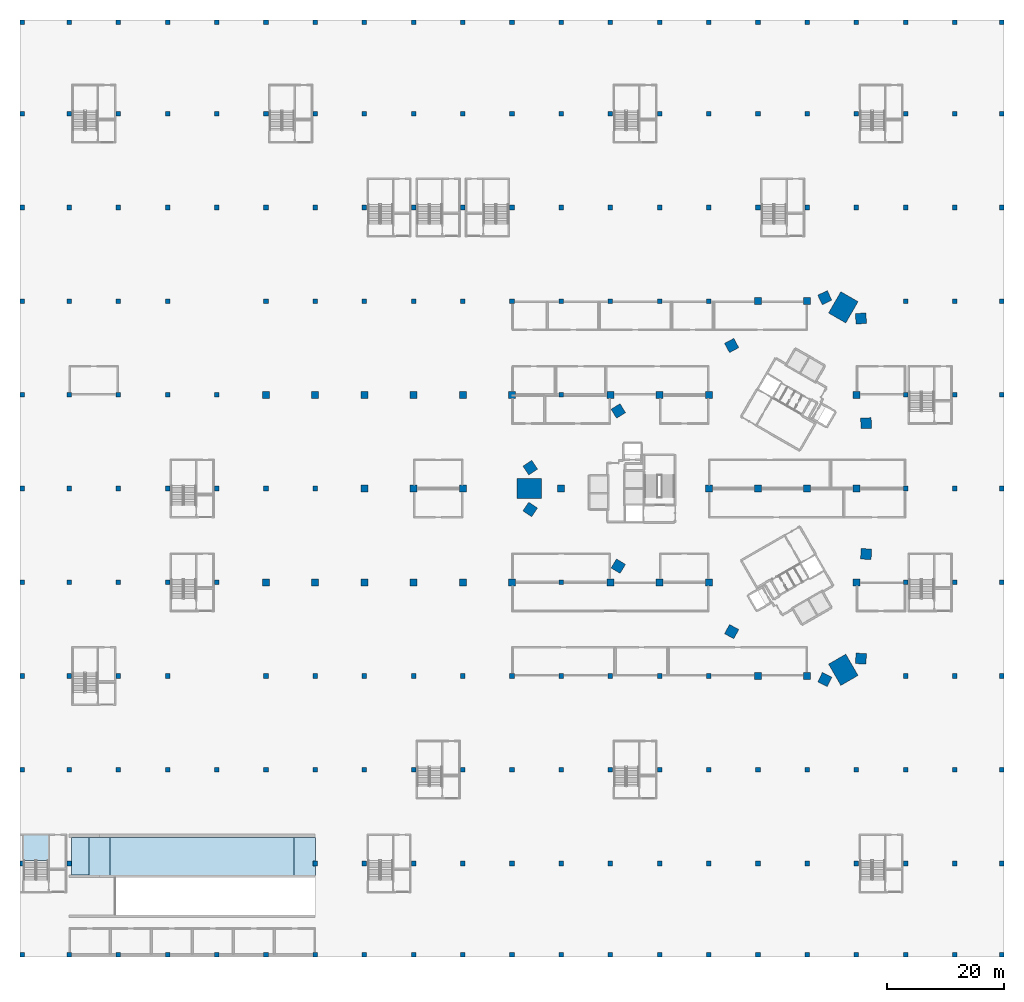
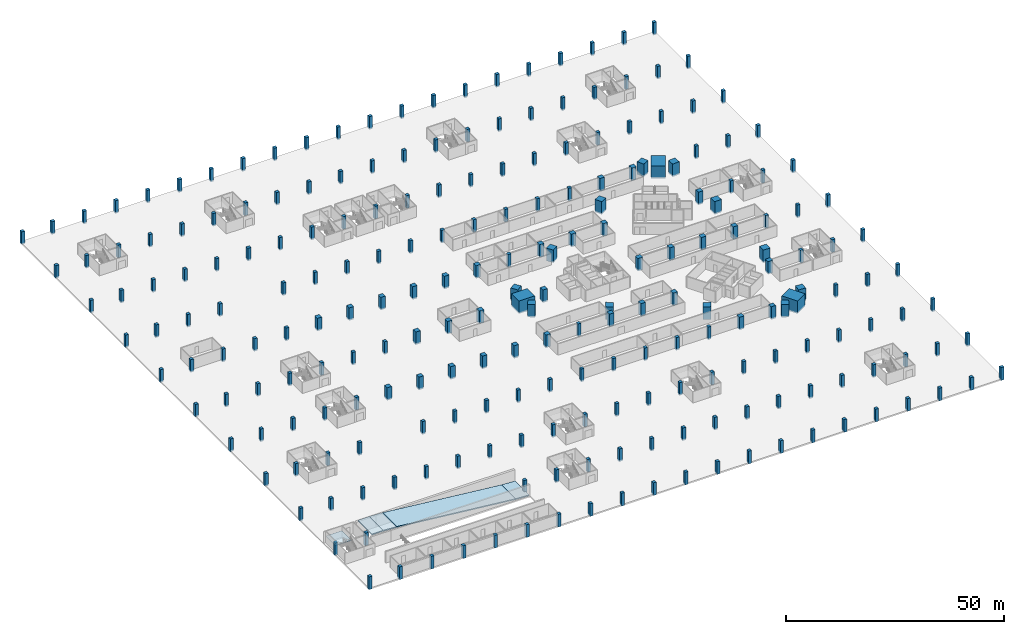
# One storey, part 1 of 37: 231 columns, 5 slabs, 1 element without a shape of its own.
"""IFC4 building model written with IfcOpenShell, lengths in metres."""

from ifc_helpers import new_model, si_unit, direction, frame, origin, origin_2d, place, context, subcontext, project, spatial, polyline, rectangle, outline, extrude, material, layer, layer_set, material_profile, profile_set, type_object, element, aggregate, save


model = new_model("IFC4")

# Units and contexts
model_context = context("Model", 3, precision=1e-05, world=origin(), true_north=direction((0.0, 1.0)))
body_context = subcontext(model_context, "Body", "Model", "MODEL_VIEW")
ifc_project = project(units=[si_unit("LENGTHUNIT", "METRE"), si_unit("AREAUNIT", "SQUARE_METRE"), si_unit("VOLUMEUNIT", "CUBIC_METRE"), si_unit("PLANEANGLEUNIT", "RADIAN"), si_unit("MASSUNIT", "GRAM", prefix="KILO")], contexts=[model_context])

# Site, building, storey
site_placement = place(None, origin())
site = spatial("IfcSite", under=ifc_project, at=site_placement, CompositionType="ELEMENT")
building_placement = place(site_placement, origin())
building = spatial("IfcBuilding", under=site, at=building_placement, Name="Tamra Quay Hotel Tower", CompositionType="ELEMENT")
storey_placement = place(building_placement, frame((0.0, 0.0, -3.60009765625)))
storey = spatial("IfcBuildingStorey", under=building, at=storey_placement, Name="B1", CompositionType="ELEMENT", Elevation=-3.60009765625)

# Columns
ifc_material_1 = material(Name="Concrete M70", Category="concrete")
ifc_material_profile_1 = material_profile(ifc_material_1, rectangle(XDim=1.199951171875, YDim=1.199951171875, at=origin_2d()), Name="LATTICE COLUMN RC 1200x1200")
ifc_profile_set_1 = profile_set([ifc_material_profile_1], Name="Concrete M70")
column_type_1 = type_object("IfcColumnType", Name="LATTICE COLUMN RC 1200x1200", PredefinedType="COLUMN", material=ifc_profile_set_1)
for number, where, z_axis, x_axis, name in (
    (1, (-80.699951171875, -16.0, -0.39990234375), (0.0, 0.0, 1.0), (1.0, 0.0, 0.0), "COL-BC054-B1"),
    (2, (-80.699951171875, 16.0, -0.39990234375), (0.0, 0.0, 1.0), (1.0, 0.0, 0.0), "COL-BC056-B1"),
    (3, (-72.300048828125, -16.0, -0.39990234375), (0.0, 0.0, 1.0), (1.0, 0.0, 0.0), "COL-BC065-B1"),
    (4, (-72.300048828125, 16.0, -0.39990234375), (0.0, 0.0, 1.0), (1.0, 0.0, 0.0), "COL-BC067-B1"),
    (5, (-63.89990234375, -16.0, -0.39990234375), (0.0, 0.0, 1.0), (1.0, 0.0, 0.0), "COL-BC076-B1"),
    (6, (-63.89990234375, 0.0, -0.39990234375), (0.0, 0.0, 1.0), (1.0, 0.0, 0.0), "COL-BC077-B1"),
    (7, (-63.89990234375, 16.0, -0.39990234375), (0.0, 0.0, 1.0), (1.0, 0.0, 0.0), "COL-BC078-B1"),
    (8, (-55.5, -16.0, -0.39990234375), (0.0, 0.0, 1.0), (1.0, 0.0, 0.0), "COL-BC087-B1"),
    (9, (-55.5, 0.0, -0.39990234375), (0.0, 0.0, 1.0), (1.0, 0.0, 0.0), "COL-BC088-B1"),
    (10, (-55.5, 16.0, -0.39990234375), (0.0, 0.0, 1.0), (1.0, 0.0, 0.0), "COL-BC089-B1"),
    (11, (-47.10009765625, -16.0, -0.39990234375), (0.0, 0.0, 1.0), (1.0, 0.0, 0.0), "COL-BC098-B1"),
    (12, (-47.10009765625, 0.0, -0.39990234375), (0.0, 0.0, 1.0), (1.0, 0.0, 0.0), "COL-BC099-B1"),
    (13, (-47.10009765625, 16.0, -0.39990234375), (0.0, 0.0, 1.0), (1.0, 0.0, 0.0), "COL-BC100-B1"),
    (14, (-38.699951171875, -16.0, -0.39990234375), (0.0, 0.0, 1.0), (1.0, 0.0, 0.0), "COL-BC109-B1"),
    (15, (-38.699951171875, 16.0, -0.39990234375), (0.0, 0.0, 1.0), (1.0, 0.0, 0.0), "COL-BC110-B1"),
    (16, (-30.300048828125, 0.0, -0.39990234375), (0.0, 0.0, 1.0), (1.0, 0.0, 0.0), "COL-BC120-B1"),
    (17, (-21.89990234375, -16.0, -0.39990234375), (0.0, 0.0, 1.0), (1.0, 0.0, 0.0), "COL-BC130-B1"),
    (18, (-21.89990234375, 16.0, -0.39990234375), (0.0, 0.0, 1.0), (1.0, 0.0, 0.0), "COL-BC131-B1"),
    (19, (-13.5, -16.0, -0.39990234375), (0.0, 0.0, 1.0), (1.0, 0.0, 0.0), "COL-BC140-B1"),
    (20, (-13.5, 16.0, -0.39990234375), (0.0, 0.0, 1.0), (1.0, 0.0, 0.0), "COL-BC141-B1"),
    (21, (-5.10009765625, -16.0, -0.39990234375), (0.0, 0.0, 1.0), (1.0, 0.0, 0.0), "COL-BC150-B1"),
    (22, (-5.10009765625, 0.0, -0.39990234375), (0.0, 0.0, 1.0), (1.0, 0.0, 0.0), "COL-BC151-B1"),
    (23, (-5.10009765625, 16.0, -0.39990234375), (0.0, 0.0, 1.0), (1.0, 0.0, 0.0), "COL-BC152-B1"),
    (24, (3.300048828125, -32.0, -0.39990234375), (0.0, 0.0, 1.0), (1.0, 0.0, 0.0), "COL-BC160-B1"),
    (25, (3.300048828125, 0.0, -0.39990234375), (0.0, 0.0, 1.0), (1.0, 0.0, 0.0), "COL-BC161-B1"),
    (26, (3.300048828125, 32.0, -0.39990234375), (0.0, 0.0, 1.0), (1.0, 0.0, 0.0), "COL-BC162-B1"),
    (27, (11.699951171875, -32.0, -0.39990234375), (0.0, 0.0, 1.0), (1.0, 0.0, 0.0), "COL-BC169-B1"),
    (28, (11.699951171875, 0.0, -0.39990234375), (0.0, 0.0, 1.0), (1.0, 0.0, 0.0), "COL-BC170-B1"),
    (29, (11.699951171875, 32.0, -0.39990234375), (0.0, 0.0, 1.0), (1.0, 0.0, 0.0), "COL-BC171-B1"),
    (30, (20.10009765625, -16.0, -0.39990234375), (0.0, 0.0, 1.0), (1.0, 0.0, 0.0), "COL-BC178-B1"),
    (31, (20.10009765625, 0.0, -0.39990234375), (0.0, 0.0, 1.0), (1.0, 0.0, 0.0), "COL-BC179-B1"),
    (32, (20.10009765625, 16.0, -0.39990234375), (0.0, 0.0, 1.0), (1.0, 0.0, 0.0), "COL-BC180-B1"),
):
    element("IfcColumn", number, at=place(storey_placement, frame(where, z_axis=z_axis, x_axis=x_axis)), inside=storey, type_object=column_type_1, Name=name, PredefinedType="COLUMN", context=body_context, shape_type="SweptSolid", body=[
        extrude(rectangle(XDim=1.199951171875, YDim=1.199951171875, at=origin_2d()), origin(), (0.0, 0.0, 1.0), 3.550048828125),
    ])
ifc_material_profile_2 = material_profile(ifc_material_1, rectangle(XDim=0.800048828125, YDim=0.800048828125, at=origin_2d()), Name="LATTICE COLUMN RC 800x800")
ifc_profile_set_2 = profile_set([ifc_material_profile_2], Name="Concrete M70")
column_type_2 = type_object("IfcColumnType", Name="LATTICE COLUMN RC 800x800", PredefinedType="COLUMN", material=ifc_profile_set_2)
for number, where, z_axis, x_axis, name in (
    (33, (-122.300048828125, -79.60009765625, -0.39990234375), (0.0, 0.0, 1.0), (1.0, 0.0, 0.0), "COL-BC001-B1"),
    (34, (-122.300048828125, -64.0, -0.39990234375), (0.0, 0.0, 1.0), (1.0, 0.0, 0.0), "COL-BC002-B1"),
    (35, (-122.300048828125, -48.0, -0.39990234375), (0.0, 0.0, 1.0), (1.0, 0.0, 0.0), "COL-BC003-B1"),
    (36, (-122.300048828125, -32.0, -0.39990234375), (0.0, 0.0, 1.0), (1.0, 0.0, 0.0), "COL-BC004-B1"),
    (37, (-122.300048828125, -16.0, -0.39990234375), (0.0, 0.0, 1.0), (1.0, 0.0, 0.0), "COL-BC005-B1"),
    (38, (-122.300048828125, 0.0, -0.39990234375), (0.0, 0.0, 1.0), (1.0, 0.0, 0.0), "COL-BC006-B1"),
    (39, (-122.300048828125, 16.0, -0.39990234375), (0.0, 0.0, 1.0), (1.0, 0.0, 0.0), "COL-BC007-B1"),
    (40, (-122.300048828125, 32.0, -0.39990234375), (0.0, 0.0, 1.0), (1.0, 0.0, 0.0), "COL-BC008-B1"),
    (41, (-122.300048828125, 48.0, -0.39990234375), (0.0, 0.0, 1.0), (1.0, 0.0, 0.0), "COL-BC009-B1"),
    (42, (-122.300048828125, 64.0, -0.39990234375), (0.0, 0.0, 1.0), (1.0, 0.0, 0.0), "COL-BC010-B1"),
    (43, (-122.300048828125, 79.60009765625, -0.39990234375), (0.0, 0.0, 1.0), (1.0, 0.0, 0.0), "COL-BC011-B1"),
    (44, (-114.300048828125, -79.60009765625, -0.39990234375), (0.0, 0.0, 1.0), (1.0, 0.0, 0.0), "COL-BC012-B1"),
    (45, (-114.300048828125, -64.0, -0.39990234375), (0.0, 0.0, 1.0), (1.0, 0.0, 0.0), "COL-BC013-B1"),
    (46, (-114.300048828125, -48.0, -0.39990234375), (0.0, 0.0, 1.0), (1.0, 0.0, 0.0), "COL-BC014-B1"),
    (47, (-114.300048828125, -32.0, -0.39990234375), (0.0, 0.0, 1.0), (1.0, 0.0, 0.0), "COL-BC015-B1"),
    (48, (-114.300048828125, -16.0, -0.39990234375), (0.0, 0.0, 1.0), (1.0, 0.0, 0.0), "COL-BC016-B1"),
    (49, (-114.300048828125, 0.0, -0.39990234375), (0.0, 0.0, 1.0), (1.0, 0.0, 0.0), "COL-BC017-B1"),
    (50, (-114.300048828125, 16.0, -0.39990234375), (0.0, 0.0, 1.0), (1.0, 0.0, 0.0), "COL-BC018-B1"),
    (51, (-114.300048828125, 32.0, -0.39990234375), (0.0, 0.0, 1.0), (1.0, 0.0, 0.0), "COL-BC019-B1"),
    (52, (-114.300048828125, 48.0, -0.39990234375), (0.0, 0.0, 1.0), (1.0, 0.0, 0.0), "COL-BC020-B1"),
    (53, (-114.300048828125, 64.0, -0.39990234375), (0.0, 0.0, 1.0), (1.0, 0.0, 0.0), "COL-BC021-B1"),
    (54, (-114.300048828125, 79.60009765625, -0.39990234375), (0.0, 0.0, 1.0), (1.0, 0.0, 0.0), "COL-BC022-B1"),
    (55, (-105.89990234375, -79.60009765625, -0.39990234375), (0.0, 0.0, 1.0), (1.0, 0.0, 0.0), "COL-BC023-B1"),
    (56, (-105.89990234375, -48.0, -0.39990234375), (0.0, 0.0, 1.0), (1.0, 0.0, 0.0), "COL-BC024-B1"),
    (57, (-105.89990234375, -32.0, -0.39990234375), (0.0, 0.0, 1.0), (1.0, 0.0, 0.0), "COL-BC025-B1"),
    (58, (-105.89990234375, -16.0, -0.39990234375), (0.0, 0.0, 1.0), (1.0, 0.0, 0.0), "COL-BC026-B1"),
    (59, (-105.89990234375, 0.0, -0.39990234375), (0.0, 0.0, 1.0), (1.0, 0.0, 0.0), "COL-BC027-B1"),
    (60, (-105.89990234375, 16.0, -0.39990234375), (0.0, 0.0, 1.0), (1.0, 0.0, 0.0), "COL-BC028-B1"),
    (61, (-105.89990234375, 32.0, -0.39990234375), (0.0, 0.0, 1.0), (1.0, 0.0, 0.0), "COL-BC029-B1"),
    (62, (-105.89990234375, 48.0, -0.39990234375), (0.0, 0.0, 1.0), (1.0, 0.0, 0.0), "COL-BC030-B1"),
    (63, (-105.89990234375, 64.0, -0.39990234375), (0.0, 0.0, 1.0), (1.0, 0.0, 0.0), "COL-BC031-B1"),
    (64, (-105.89990234375, 79.60009765625, -0.39990234375), (0.0, 0.0, 1.0), (1.0, 0.0, 0.0), "COL-BC032-B1"),
    (65, (-97.5, -79.60009765625, -0.39990234375), (0.0, 0.0, 1.0), (1.0, 0.0, 0.0), "COL-BC033-B1"),
    (66, (-97.5, -48.0, -0.39990234375), (0.0, 0.0, 1.0), (1.0, 0.0, 0.0), "COL-BC034-B1"),
    (67, (-97.5, -32.0, -0.39990234375), (0.0, 0.0, 1.0), (1.0, 0.0, 0.0), "COL-BC035-B1"),
    (68, (-97.5, -16.0, -0.39990234375), (0.0, 0.0, 1.0), (1.0, 0.0, 0.0), "COL-BC036-B1"),
    (69, (-97.5, 0.0, -0.39990234375), (0.0, 0.0, 1.0), (1.0, 0.0, 0.0), "COL-BC037-B1"),
    (70, (-97.5, 16.0, -0.39990234375), (0.0, 0.0, 1.0), (1.0, 0.0, 0.0), "COL-BC038-B1"),
    (71, (-97.5, 32.0, -0.39990234375), (0.0, 0.0, 1.0), (1.0, 0.0, 0.0), "COL-BC039-B1"),
    (72, (-97.5, 48.0, -0.39990234375), (0.0, 0.0, 1.0), (1.0, 0.0, 0.0), "COL-BC040-B1"),
    (73, (-97.5, 64.0, -0.39990234375), (0.0, 0.0, 1.0), (1.0, 0.0, 0.0), "COL-BC041-B1"),
    (74, (-97.5, 79.60009765625, -0.39990234375), (0.0, 0.0, 1.0), (1.0, 0.0, 0.0), "COL-BC042-B1"),
    (75, (-89.10009765625, -79.60009765625, -0.39990234375), (0.0, 0.0, 1.0), (1.0, 0.0, 0.0), "COL-BC043-B1"),
    (76, (-89.10009765625, -48.0, -0.39990234375), (0.0, 0.0, 1.0), (1.0, 0.0, 0.0), "COL-BC044-B1"),
    (77, (-89.10009765625, -16.0, -0.39990234375), (0.0, 0.0, 1.0), (1.0, 0.0, 0.0), "COL-BC045-B1"),
    (78, (-89.10009765625, 0.0, -0.39990234375), (0.0, 0.0, 1.0), (1.0, 0.0, 0.0), "COL-BC046-B1"),
    (79, (-89.10009765625, 16.0, -0.39990234375), (0.0, 0.0, 1.0), (1.0, 0.0, 0.0), "COL-BC047-B1"),
    (80, (-89.10009765625, 48.0, -0.39990234375), (0.0, 0.0, 1.0), (1.0, 0.0, 0.0), "COL-BC048-B1"),
    (81, (-89.10009765625, 64.0, -0.39990234375), (0.0, 0.0, 1.0), (1.0, 0.0, 0.0), "COL-BC049-B1"),
    (82, (-89.10009765625, 79.60009765625, -0.39990234375), (0.0, 0.0, 1.0), (1.0, 0.0, 0.0), "COL-BC050-B1"),
    (83, (-80.699951171875, -79.60009765625, -0.39990234375), (0.0, 0.0, 1.0), (1.0, 0.0, 0.0), "COL-BC051-B1"),
    (84, (-80.699951171875, -48.0, -0.39990234375), (0.0, 0.0, 1.0), (1.0, 0.0, 0.0), "COL-BC052-B1"),
    (85, (-80.699951171875, -32.0, -0.39990234375), (0.0, 0.0, 1.0), (1.0, 0.0, 0.0), "COL-BC053-B1"),
    (86, (-80.699951171875, 0.0, -0.39990234375), (0.0, 0.0, 1.0), (1.0, 0.0, 0.0), "COL-BC055-B1"),
    (87, (-80.699951171875, 32.0, -0.39990234375), (0.0, 0.0, 1.0), (1.0, 0.0, 0.0), "COL-BC057-B1"),
    (88, (-80.699951171875, 48.0, -0.39990234375), (0.0, 0.0, 1.0), (1.0, 0.0, 0.0), "COL-BC058-B1"),
    (89, (-80.699951171875, 64.0, -0.39990234375), (0.0, 0.0, 1.0), (1.0, 0.0, 0.0), "COL-BC059-B1"),
    (90, (-80.699951171875, 79.60009765625, -0.39990234375), (0.0, 0.0, 1.0), (1.0, 0.0, 0.0), "COL-BC060-B1"),
    (91, (-72.300048828125, -79.60009765625, -0.39990234375), (0.0, 0.0, 1.0), (1.0, 0.0, 0.0), "COL-BC061-B1"),
    (92, (-72.300048828125, -64.0, -0.39990234375), (0.0, 0.0, 1.0), (1.0, 0.0, 0.0), "COL-BC062-B1"),
    (93, (-72.300048828125, -48.0, -0.39990234375), (0.0, 0.0, 1.0), (1.0, 0.0, 0.0), "COL-BC063-B1"),
    (94, (-72.300048828125, -32.0, -0.39990234375), (0.0, 0.0, 1.0), (1.0, 0.0, 0.0), "COL-BC064-B1"),
    (95, (-72.300048828125, 0.0, -0.39990234375), (0.0, 0.0, 1.0), (1.0, 0.0, 0.0), "COL-BC066-B1"),
    (96, (-72.300048828125, 32.0, -0.39990234375), (0.0, 0.0, 1.0), (1.0, 0.0, 0.0), "COL-BC068-B1"),
    (97, (-72.300048828125, 48.0, -0.39990234375), (0.0, 0.0, 1.0), (1.0, 0.0, 0.0), "COL-BC069-B1"),
    (98, (-72.300048828125, 64.0, -0.39990234375), (0.0, 0.0, 1.0), (1.0, 0.0, 0.0), "COL-BC070-B1"),
    (99, (-72.300048828125, 79.60009765625, -0.39990234375), (0.0, 0.0, 1.0), (1.0, 0.0, 0.0), "COL-BC071-B1"),
    (100, (-63.89990234375, -79.60009765625, -0.39990234375), (0.0, 0.0, 1.0), (1.0, 0.0, 0.0), "COL-BC072-B1"),
    (101, (-63.89990234375, -64.0, -0.39990234375), (0.0, 0.0, 1.0), (1.0, 0.0, 0.0), "COL-BC073-B1"),
    (102, (-63.89990234375, -48.0, -0.39990234375), (0.0, 0.0, 1.0), (1.0, 0.0, 0.0), "COL-BC074-B1"),
    (103, (-63.89990234375, -32.0, -0.39990234375), (0.0, 0.0, 1.0), (1.0, 0.0, 0.0), "COL-BC075-B1"),
    (104, (-63.89990234375, 32.0, -0.39990234375), (0.0, 0.0, 1.0), (1.0, 0.0, 0.0), "COL-BC079-B1"),
    (105, (-63.89990234375, 48.0, -0.39990234375), (0.0, 0.0, 1.0), (1.0, 0.0, 0.0), "COL-BC080-B1"),
    (106, (-63.89990234375, 64.0, -0.39990234375), (0.0, 0.0, 1.0), (1.0, 0.0, 0.0), "COL-BC081-B1"),
    (107, (-63.89990234375, 79.60009765625, -0.39990234375), (0.0, 0.0, 1.0), (1.0, 0.0, 0.0), "COL-BC082-B1"),
    (108, (-55.5, -79.60009765625, -0.39990234375), (0.0, 0.0, 1.0), (1.0, 0.0, 0.0), "COL-BC083-B1"),
    (109, (-55.5, -64.0, -0.39990234375), (0.0, 0.0, 1.0), (1.0, 0.0, 0.0), "COL-BC084-B1"),
    (110, (-55.5, -48.0, -0.39990234375), (0.0, 0.0, 1.0), (1.0, 0.0, 0.0), "COL-BC085-B1"),
    (111, (-55.5, -32.0, -0.39990234375), (0.0, 0.0, 1.0), (1.0, 0.0, 0.0), "COL-BC086-B1"),
    (112, (-55.5, 32.0, -0.39990234375), (0.0, 0.0, 1.0), (1.0, 0.0, 0.0), "COL-BC090-B1"),
    (113, (-55.5, 48.0, -0.39990234375), (0.0, 0.0, 1.0), (1.0, 0.0, 0.0), "COL-BC091-B1"),
    (114, (-55.5, 64.0, -0.39990234375), (0.0, 0.0, 1.0), (1.0, 0.0, 0.0), "COL-BC092-B1"),
    (115, (-55.5, 79.60009765625, -0.39990234375), (0.0, 0.0, 1.0), (1.0, 0.0, 0.0), "COL-BC093-B1"),
    (116, (-47.10009765625, -79.60009765625, -0.39990234375), (0.0, 0.0, 1.0), (1.0, 0.0, 0.0), "COL-BC094-B1"),
    (117, (-47.10009765625, -64.0, -0.39990234375), (0.0, 0.0, 1.0), (1.0, 0.0, 0.0), "COL-BC095-B1"),
    (118, (-47.10009765625, -48.0, -0.39990234375), (0.0, 0.0, 1.0), (1.0, 0.0, 0.0), "COL-BC096-B1"),
    (119, (-47.10009765625, -32.0, -0.39990234375), (0.0, 0.0, 1.0), (1.0, 0.0, 0.0), "COL-BC097-B1"),
    (120, (-47.10009765625, 32.0, -0.39990234375), (0.0, 0.0, 1.0), (1.0, 0.0, 0.0), "COL-BC101-B1"),
    (121, (-47.10009765625, 48.0, -0.39990234375), (0.0, 0.0, 1.0), (1.0, 0.0, 0.0), "COL-BC102-B1"),
    (122, (-47.10009765625, 64.0, -0.39990234375), (0.0, 0.0, 1.0), (1.0, 0.0, 0.0), "COL-BC103-B1"),
    (123, (-47.10009765625, 79.60009765625, -0.39990234375), (0.0, 0.0, 1.0), (1.0, 0.0, 0.0), "COL-BC104-B1"),
    (124, (-38.699951171875, -79.60009765625, -0.39990234375), (0.0, 0.0, 1.0), (1.0, 0.0, 0.0), "COL-BC105-B1"),
    (125, (-38.699951171875, -64.0, -0.39990234375), (0.0, 0.0, 1.0), (1.0, 0.0, 0.0), "COL-BC106-B1"),
    (126, (-38.699951171875, -48.0, -0.39990234375), (0.0, 0.0, 1.0), (1.0, 0.0, 0.0), "COL-BC107-B1"),
    (127, (-38.699951171875, -32.0, -0.39990234375), (0.0, 0.0, 1.0), (1.0, 0.0, 0.0), "COL-BC108-B1"),
    (128, (-38.699951171875, 32.0, -0.39990234375), (0.0, 0.0, 1.0), (1.0, 0.0, 0.0), "COL-BC111-B1"),
    (129, (-38.699951171875, 48.0, -0.39990234375), (0.0, 0.0, 1.0), (1.0, 0.0, 0.0), "COL-BC112-B1"),
    (130, (-38.699951171875, 64.0, -0.39990234375), (0.0, 0.0, 1.0), (1.0, 0.0, 0.0), "COL-BC113-B1"),
    (131, (-38.699951171875, 79.60009765625, -0.39990234375), (0.0, 0.0, 1.0), (1.0, 0.0, 0.0), "COL-BC114-B1"),
    (132, (-30.300048828125, -79.60009765625, -0.39990234375), (0.0, 0.0, 1.0), (1.0, 0.0, 0.0), "COL-BC115-B1"),
    (133, (-30.300048828125, -64.0, -0.39990234375), (0.0, 0.0, 1.0), (1.0, 0.0, 0.0), "COL-BC116-B1"),
    (134, (-30.300048828125, -48.0, -0.39990234375), (0.0, 0.0, 1.0), (1.0, 0.0, 0.0), "COL-BC117-B1"),
    (135, (-30.300048828125, -32.0, -0.39990234375), (0.0, 0.0, 1.0), (1.0, 0.0, 0.0), "COL-BC118-B1"),
    (136, (-30.300048828125, -16.0, -0.39990234375), (0.0, 0.0, 1.0), (1.0, 0.0, 0.0), "COL-BC119-B1"),
    (137, (-30.300048828125, 16.0, -0.39990234375), (0.0, 0.0, 1.0), (1.0, 0.0, 0.0), "COL-BC121-B1"),
    (138, (-30.300048828125, 32.0, -0.39990234375), (0.0, 0.0, 1.0), (1.0, 0.0, 0.0), "COL-BC122-B1"),
    (139, (-30.300048828125, 48.0, -0.39990234375), (0.0, 0.0, 1.0), (1.0, 0.0, 0.0), "COL-BC123-B1"),
    (140, (-30.300048828125, 64.0, -0.39990234375), (0.0, 0.0, 1.0), (1.0, 0.0, 0.0), "COL-BC124-B1"),
    (141, (-30.300048828125, 79.60009765625, -0.39990234375), (0.0, 0.0, 1.0), (1.0, 0.0, 0.0), "COL-BC125-B1"),
    (142, (-21.89990234375, -79.60009765625, -0.39990234375), (0.0, 0.0, 1.0), (1.0, 0.0, 0.0), "COL-BC126-B1"),
    (143, (-21.89990234375, -64.0, -0.39990234375), (0.0, 0.0, 1.0), (1.0, 0.0, 0.0), "COL-BC127-B1"),
    (144, (-21.89990234375, -48.0, -0.39990234375), (0.0, 0.0, 1.0), (1.0, 0.0, 0.0), "COL-BC128-B1"),
    (145, (-21.89990234375, -32.0, -0.39990234375), (0.0, 0.0, 1.0), (1.0, 0.0, 0.0), "COL-BC129-B1"),
    (146, (-21.89990234375, 32.0, -0.39990234375), (0.0, 0.0, 1.0), (1.0, 0.0, 0.0), "COL-BC132-B1"),
    (147, (-21.89990234375, 48.0, -0.39990234375), (0.0, 0.0, 1.0), (1.0, 0.0, 0.0), "COL-BC133-B1"),
    (148, (-21.89990234375, 64.0, -0.39990234375), (0.0, 0.0, 1.0), (1.0, 0.0, 0.0), "COL-BC134-B1"),
    (149, (-21.89990234375, 79.60009765625, -0.39990234375), (0.0, 0.0, 1.0), (1.0, 0.0, 0.0), "COL-BC135-B1"),
    (150, (-13.5, -79.60009765625, -0.39990234375), (0.0, 0.0, 1.0), (1.0, 0.0, 0.0), "COL-BC136-B1"),
    (151, (-13.5, -64.0, -0.39990234375), (0.0, 0.0, 1.0), (1.0, 0.0, 0.0), "COL-BC137-B1"),
    (152, (-13.5, -48.0, -0.39990234375), (0.0, 0.0, 1.0), (1.0, 0.0, 0.0), "COL-BC138-B1"),
    (153, (-13.5, -32.0, -0.39990234375), (0.0, 0.0, 1.0), (1.0, 0.0, 0.0), "COL-BC139-B1"),
    (154, (-13.5, 32.0, -0.39990234375), (0.0, 0.0, 1.0), (1.0, 0.0, 0.0), "COL-BC142-B1"),
    (155, (-13.5, 48.0, -0.39990234375), (0.0, 0.0, 1.0), (1.0, 0.0, 0.0), "COL-BC143-B1"),
    (156, (-13.5, 64.0, -0.39990234375), (0.0, 0.0, 1.0), (1.0, 0.0, 0.0), "COL-BC144-B1"),
    (157, (-13.5, 79.60009765625, -0.39990234375), (0.0, 0.0, 1.0), (1.0, 0.0, 0.0), "COL-BC145-B1"),
    (158, (-5.10009765625, -79.60009765625, -0.39990234375), (0.0, 0.0, 1.0), (1.0, 0.0, 0.0), "COL-BC146-B1"),
    (159, (-5.10009765625, -64.0, -0.39990234375), (0.0, 0.0, 1.0), (1.0, 0.0, 0.0), "COL-BC147-B1"),
    (160, (-5.10009765625, -48.0, -0.39990234375), (0.0, 0.0, 1.0), (1.0, 0.0, 0.0), "COL-BC148-B1"),
    (161, (-5.10009765625, -32.0, -0.39990234375), (0.0, 0.0, 1.0), (1.0, 0.0, 0.0), "COL-BC149-B1"),
    (162, (-5.10009765625, 32.0, -0.39990234375), (0.0, 0.0, 1.0), (1.0, 0.0, 0.0), "COL-BC153-B1"),
    (163, (-5.10009765625, 48.0, -0.39990234375), (0.0, 0.0, 1.0), (1.0, 0.0, 0.0), "COL-BC154-B1"),
    (164, (-5.10009765625, 64.0, -0.39990234375), (0.0, 0.0, 1.0), (1.0, 0.0, 0.0), "COL-BC155-B1"),
    (165, (-5.10009765625, 79.60009765625, -0.39990234375), (0.0, 0.0, 1.0), (1.0, 0.0, 0.0), "COL-BC156-B1"),
    (166, (3.300048828125, -79.60009765625, -0.39990234375), (0.0, 0.0, 1.0), (1.0, 0.0, 0.0), "COL-BC157-B1"),
    (167, (3.300048828125, -64.0, -0.39990234375), (0.0, 0.0, 1.0), (1.0, 0.0, 0.0), "COL-BC158-B1"),
    (168, (3.300048828125, -48.0, -0.39990234375), (0.0, 0.0, 1.0), (1.0, 0.0, 0.0), "COL-BC159-B1"),
    (169, (3.300048828125, 48.0, -0.39990234375), (0.0, 0.0, 1.0), (1.0, 0.0, 0.0), "COL-BC163-B1"),
    (170, (3.300048828125, 64.0, -0.39990234375), (0.0, 0.0, 1.0), (1.0, 0.0, 0.0), "COL-BC164-B1"),
    (171, (3.300048828125, 79.60009765625, -0.39990234375), (0.0, 0.0, 1.0), (1.0, 0.0, 0.0), "COL-BC165-B1"),
    (172, (11.699951171875, -79.60009765625, -0.39990234375), (0.0, 0.0, 1.0), (1.0, 0.0, 0.0), "COL-BC166-B1"),
    (173, (11.699951171875, -64.0, -0.39990234375), (0.0, 0.0, 1.0), (1.0, 0.0, 0.0), "COL-BC167-B1"),
    (174, (11.699951171875, -48.0, -0.39990234375), (0.0, 0.0, 1.0), (1.0, 0.0, 0.0), "COL-BC168-B1"),
    (175, (11.699951171875, 48.0, -0.39990234375), (0.0, 0.0, 1.0), (1.0, 0.0, 0.0), "COL-BC172-B1"),
    (176, (11.699951171875, 64.0, -0.39990234375), (0.0, 0.0, 1.0), (1.0, 0.0, 0.0), "COL-BC173-B1"),
    (177, (11.699951171875, 79.60009765625, -0.39990234375), (0.0, 0.0, 1.0), (1.0, 0.0, 0.0), "COL-BC174-B1"),
    (178, (20.10009765625, -79.60009765625, -0.39990234375), (0.0, 0.0, 1.0), (1.0, 0.0, 0.0), "COL-BC175-B1"),
    (179, (20.10009765625, -64.0, -0.39990234375), (0.0, 0.0, 1.0), (1.0, 0.0, 0.0), "COL-BC176-B1"),
    (180, (20.10009765625, -48.0, -0.39990234375), (0.0, 0.0, 1.0), (1.0, 0.0, 0.0), "COL-BC177-B1"),
    (181, (20.10009765625, 48.0, -0.39990234375), (0.0, 0.0, 1.0), (1.0, 0.0, 0.0), "COL-BC181-B1"),
    (182, (20.10009765625, 64.0, -0.39990234375), (0.0, 0.0, 1.0), (1.0, 0.0, 0.0), "COL-BC182-B1"),
    (183, (20.10009765625, 79.60009765625, -0.39990234375), (0.0, 0.0, 1.0), (1.0, 0.0, 0.0), "COL-BC183-B1"),
    (184, (28.5, -79.60009765625, -0.39990234375), (0.0, 0.0, 1.0), (1.0, 0.0, 0.0), "COL-BC184-B1"),
    (185, (28.5, -64.0, -0.39990234375), (0.0, 0.0, 1.0), (1.0, 0.0, 0.0), "COL-BC185-B1"),
    (186, (28.5, -48.0, -0.39990234375), (0.0, 0.0, 1.0), (1.0, 0.0, 0.0), "COL-BC186-B1"),
    (187, (28.5, -32.0, -0.39990234375), (0.0, 0.0, 1.0), (1.0, 0.0, 0.0), "COL-BC187-B1"),
    (188, (28.5, -16.0, -0.39990234375), (0.0, 0.0, 1.0), (1.0, 0.0, 0.0), "COL-BC188-B1"),
    (189, (28.5, 0.0, -0.39990234375), (0.0, 0.0, 1.0), (1.0, 0.0, 0.0), "COL-BC189-B1"),
    (190, (28.5, 16.0, -0.39990234375), (0.0, 0.0, 1.0), (1.0, 0.0, 0.0), "COL-BC190-B1"),
    (191, (28.5, 32.0, -0.39990234375), (0.0, 0.0, 1.0), (1.0, 0.0, 0.0), "COL-BC191-B1"),
    (192, (28.5, 48.0, -0.39990234375), (0.0, 0.0, 1.0), (1.0, 0.0, 0.0), "COL-BC192-B1"),
    (193, (28.5, 64.0, -0.39990234375), (0.0, 0.0, 1.0), (1.0, 0.0, 0.0), "COL-BC193-B1"),
    (194, (28.5, 79.60009765625, -0.39990234375), (0.0, 0.0, 1.0), (1.0, 0.0, 0.0), "COL-BC194-B1"),
    (195, (36.89990234375, -79.60009765625, -0.39990234375), (0.0, 0.0, 1.0), (1.0, 0.0, 0.0), "COL-BC195-B1"),
    (196, (36.89990234375, -64.0, -0.39990234375), (0.0, 0.0, 1.0), (1.0, 0.0, 0.0), "COL-BC196-B1"),
    (197, (36.89990234375, -48.0, -0.39990234375), (0.0, 0.0, 1.0), (1.0, 0.0, 0.0), "COL-BC197-B1"),
    (198, (36.89990234375, -32.0, -0.39990234375), (0.0, 0.0, 1.0), (1.0, 0.0, 0.0), "COL-BC198-B1"),
    (199, (36.89990234375, -16.0, -0.39990234375), (0.0, 0.0, 1.0), (1.0, 0.0, 0.0), "COL-BC199-B1"),
    (200, (36.89990234375, 0.0, -0.39990234375), (0.0, 0.0, 1.0), (1.0, 0.0, 0.0), "COL-BC200-B1"),
    (201, (36.89990234375, 16.0, -0.39990234375), (0.0, 0.0, 1.0), (1.0, 0.0, 0.0), "COL-BC201-B1"),
    (202, (36.89990234375, 32.0, -0.39990234375), (0.0, 0.0, 1.0), (1.0, 0.0, 0.0), "COL-BC202-B1"),
    (203, (36.89990234375, 48.0, -0.39990234375), (0.0, 0.0, 1.0), (1.0, 0.0, 0.0), "COL-BC203-B1"),
    (204, (36.89990234375, 64.0, -0.39990234375), (0.0, 0.0, 1.0), (1.0, 0.0, 0.0), "COL-BC204-B1"),
    (205, (36.89990234375, 79.60009765625, -0.39990234375), (0.0, 0.0, 1.0), (1.0, 0.0, 0.0), "COL-BC205-B1"),
    (206, (44.89990234375, -79.60009765625, -0.39990234375), (0.0, 0.0, 1.0), (1.0, 0.0, 0.0), "COL-BC206-B1"),
    (207, (44.89990234375, -64.0, -0.39990234375), (0.0, 0.0, 1.0), (1.0, 0.0, 0.0), "COL-BC207-B1"),
    (208, (44.89990234375, -48.0, -0.39990234375), (0.0, 0.0, 1.0), (1.0, 0.0, 0.0), "COL-BC208-B1"),
    (209, (44.89990234375, -32.0, -0.39990234375), (0.0, 0.0, 1.0), (1.0, 0.0, 0.0), "COL-BC209-B1"),
    (210, (44.89990234375, -16.0, -0.39990234375), (0.0, 0.0, 1.0), (1.0, 0.0, 0.0), "COL-BC210-B1"),
    (211, (44.89990234375, 0.0, -0.39990234375), (0.0, 0.0, 1.0), (1.0, 0.0, 0.0), "COL-BC211-B1"),
    (212, (44.89990234375, 16.0, -0.39990234375), (0.0, 0.0, 1.0), (1.0, 0.0, 0.0), "COL-BC212-B1"),
    (213, (44.89990234375, 32.0, -0.39990234375), (0.0, 0.0, 1.0), (1.0, 0.0, 0.0), "COL-BC213-B1"),
    (214, (44.89990234375, 48.0, -0.39990234375), (0.0, 0.0, 1.0), (1.0, 0.0, 0.0), "COL-BC214-B1"),
    (215, (44.89990234375, 64.0, -0.39990234375), (0.0, 0.0, 1.0), (1.0, 0.0, 0.0), "COL-BC215-B1"),
    (216, (44.89990234375, 79.60009765625, -0.39990234375), (0.0, 0.0, 1.0), (1.0, 0.0, 0.0), "COL-BC216-B1"),
):
    element("IfcColumn", number, at=place(storey_placement, frame(where, z_axis=z_axis, x_axis=x_axis)), inside=storey, type_object=column_type_2, Name=name, PredefinedType="COLUMN", context=body_context, shape_type="SweptSolid", body=[
        extrude(rectangle(XDim=0.800048828125, YDim=0.800048828125, at=origin_2d()), origin(), (0.0, 0.0, 1.0), 3.550048828125),
    ])
ifc_material_profile_3 = material_profile(ifc_material_1, rectangle(XDim=4.199951171875, YDim=3.39990234375, at=origin_2d()), Name="MEGA COLUMN RC 3400x4200 Z1")
ifc_profile_set_3 = profile_set([ifc_material_profile_3], Name="Concrete M70")
column_type_3 = type_object("IfcColumnType", Name="MEGA COLUMN RC 3400x4200 Z1", PredefinedType="COLUMN", material=ifc_profile_set_3)
for number, where, z_axis, x_axis, name in (
    (217, (17.864501953125, 30.942138671875, -0.39990234375), (0.0, 0.0, 1.0), (0.5, 0.866025403784, 0.0), "COL-M0NE-B1"),
    (218, (-35.72900390625, 0.0, -0.39990234375), (0.0, 0.0, 1.0), (1.0, 0.0, 0.0), "COL-M0W-B1"),
    (219, (17.864501953125, -30.942138671875, -0.39990234375), (0.0, 0.0, 1.0), (-0.5, 0.866025403784, 0.0), "COL-M0SE-B1"),
):
    element("IfcColumn", number, at=place(storey_placement, frame(where, z_axis=z_axis, x_axis=x_axis)), inside=storey, type_object=column_type_3, Name=name, PredefinedType="COLUMN", context=body_context, shape_type="SweptSolid", body=[
        extrude(rectangle(XDim=4.199951171875, YDim=3.39990234375, at=origin_2d()), origin(), (0.0, 0.0, 1.0), 3.550048828125),
    ])
ifc_material_profile_4 = material_profile(ifc_material_1, rectangle(XDim=1.800048828125, YDim=1.800048828125, at=origin_2d()), Name="MIDFACE COLUMN RC 1800x1800")
ifc_profile_set_4 = profile_set([ifc_material_profile_4], Name="Concrete M70")
column_type_4 = type_object("IfcColumnType", Name="MIDFACE COLUMN RC 1800x1800", PredefinedType="COLUMN", material=ifc_profile_set_4)
for number, where, z_axis, x_axis, name in (
    (220, (20.87890625, -29.033935546875, -0.39990234375), (0.0, 0.0, 1.0), (-0.997561736499, 0.069789554182, 0.0), "COL-PRE1-B1"),
    (221, (21.7490234375, -11.17431640625, -0.39990234375), (0.0, 0.0, 1.0), (-0.999628128016, 0.02726913418, 0.0), "COL-PRE2-B1"),
    (222, (21.7490234375, 11.17431640625, -0.39990234375), (0.0, 0.0, 1.0), (0.999628128016, 0.02726913418, 0.0), "COL-PRE3-B1"),
    (223, (20.87890625, 29.033935546875, -0.39990234375), (0.0, 0.0, 1.0), (0.997561736499, 0.069789554182, 0.0), "COL-PRE4-B1"),
    (224, (14.70458984375, 32.5986328125, -0.39990234375), (0.0, 0.0, 1.0), (-0.438341341409, 0.898808582743, 0.0), "COL-PRNW1-B1"),
    (225, (-1.197265625, 24.422607421875, -0.39990234375), (0.0, 0.0, 1.0), (-0.476198301069, 0.879337920289, 0.0), "COL-PRNW2-B1"),
    (226, (-20.552001953125, 13.248046875, -0.39990234375), (0.0, 0.0, 1.0), (-0.523429826947, 0.85206878611, 0.0), "COL-PRNW3-B1"),
    (227, (-35.58349609375, 3.564697265625, -0.39990234375), (0.0, 0.0, 1.0), (-0.55922039509, 0.82901902856, 0.0), "COL-PRNW4-B1"),
    (228, (-35.58349609375, -3.564697265625, -0.39990234375), (0.0, 0.0, 1.0), (0.55922039509, 0.82901902856, 0.0), "COL-PRSW1-B1"),
    (229, (-20.552001953125, -13.248046875, -0.39990234375), (0.0, 0.0, 1.0), (0.523429826947, 0.85206878611, 0.0), "COL-PRSW2-B1"),
    (230, (-1.197265625, -24.422607421875, -0.39990234375), (0.0, 0.0, 1.0), (0.476198301069, 0.879337920289, 0.0), "COL-PRSW3-B1"),
    (231, (14.70458984375, -32.5986328125, -0.39990234375), (0.0, 0.0, 1.0), (0.438341341409, 0.898808582743, 0.0), "COL-PRSW4-B1"),
):
    element("IfcColumn", number, at=place(storey_placement, frame(where, z_axis=z_axis, x_axis=x_axis)), inside=storey, type_object=column_type_4, Name=name, PredefinedType="COLUMN", context=body_context, shape_type="SweptSolid", body=[
        extrude(rectangle(XDim=1.800048828125, YDim=1.800048828125, at=origin_2d()), origin(), (0.0, 0.0, 1.0), 3.550048828125),
    ])

# Stair, slab
ifc_material_2 = material(Name="Basement exit stair")
stair_type = type_object("IfcStairType", Name="Basement exit stair", PredefinedType="HALF_TURN_STAIR", material=ifc_material_2)
stair_placement = place(storey_placement, origin())
stair = element("IfcStair", 232, at=stair_placement, inside=storey, type_object=stair_type, Name="B1 Basement Exit Stair BS18", PredefinedType="HALF_TURN_STAIR")
ifc_material_3 = material(Name="Concrete M60", Category="concrete")
ifc_layer_1 = layer(ifc_material_3, 0.199951171875)
ifc_layer_set_1 = layer_set([ifc_layer_1], Name="Concrete M60 basement stair landing 200")
slab_type_1 = type_object("IfcSlabType", Name="Concrete M60 basement stair landing 200", PredefinedType="LANDING", material=ifc_layer_set_1)
slab_1_placement = place(storey_placement, frame((0.0, 0.0, 1.60009765625)))
slab_1 = element("IfcSlab", 233, at=slab_1_placement, type_object=slab_type_1, Name="BS18 landing 1", PredefinedType="LANDING", context=body_context, shape_type="SweptSolid", body=[
    extrude(outline(polyline([(-117.85009765625, -63.52001953125), (-117.85009765625, -59.14990234375), (-122.10009765625, -59.14990234375), (-122.10009765625, -63.52001953125), (-117.85009765625, -63.52001953125)])), origin(), (0.0, 0.0, 1.0), 0.199951171875),
])
aggregate(stair, [slab_1])

# Slabs
ifc_layer_2 = layer(ifc_material_3, 0.300048828125)
ifc_layer_set_2 = layer_set([ifc_layer_2], Name="Concrete M60 vehicle ramp slab 300")
slab_type_2 = type_object("IfcSlabType", Name="Concrete M60 vehicle ramp slab 300", PredefinedType="USERDEFINED", material=ifc_layer_set_2)
slab_2_placement = place(storey_placement, frame((0.0, 0.0, 3.300048828125)))
element("IfcSlab", 234, at=slab_2_placement, inside=storey, type_object=slab_type_2, Name="Vehicle ramp A slab 1", ObjectType="VEHICLE RAMP SLAB", PredefinedType="USERDEFINED", context=body_context, shape_type="SweptSolid", body=[
    extrude(outline(polyline([(-113.89990234375, -65.99951171875), (-110.89990234375, -65.99951171875), (-110.89990234375, -59.6005859375), (-113.89990234375, -59.6005859375), (-113.89990234375, -65.99951171875)])), origin(), (0.0, 0.0, 1.0), 0.300048828125),
])
slab_3_placement = place(storey_placement, frame((-110.89990234375, -66.02001953125, 3.60009765625), z_axis=(0.051339463901, 0.0, 0.998681260186), x_axis=(0.998681260186, 0.0, -0.051339463901)))
element("IfcSlab", 235, at=slab_3_placement, inside=storey, type_object=slab_type_2, Name="Vehicle ramp A slab 2", ObjectType="VEHICLE RAMP SLAB", PredefinedType="USERDEFINED", context=body_context, shape_type="SweptSolid", body=[
    extrude(outline(polyline([(0.0, 0.0), (3.6046070544621647, 0.0), (3.6046070544621647, 6.43994140625), (0.0, 6.43994140625), (0.0, 0.0)])), origin(), (0.0, 0.0, -1.0), 0.300048828125),
])
slab_4_placement = place(storey_placement, frame((-107.300048828125, -66.02001953125, 3.4150390625), z_axis=(0.102317547731, 0.0, 0.994751787848), x_axis=(0.994751787848, 0.0, -0.102317547731)))
element("IfcSlab", 236, at=slab_4_placement, inside=storey, type_object=slab_type_2, Name="Vehicle ramp A slab 3", ObjectType="VEHICLE RAMP SLAB", PredefinedType="USERDEFINED", context=body_context, shape_type="SweptSolid", body=[
    extrude(outline(polyline([(0.0, 0.0), (31.565810554925058, 0.0), (31.565810554925058, 6.439941406250002), (0.0, 6.439941406250002), (0.0, 0.0)])), origin(), (0.0, 0.0, -1.0), 0.300048828125),
])
slab_5_placement = place(storey_placement, frame((-75.89990234375, -66.02001953125, 0.185302734375), z_axis=(0.05070392776, 0.0, 0.998713728608), x_axis=(0.998713728608, 0.0, -0.05070392776)))
element("IfcSlab", 237, at=slab_5_placement, inside=storey, type_object=slab_type_2, Name="Vehicle ramp A slab 4", ObjectType="VEHICLE RAMP SLAB", PredefinedType="USERDEFINED", context=body_context, shape_type="SweptSolid", body=[
    extrude(outline(polyline([(0.0, 0.0), (3.6546031552384175, 0.0), (3.6546031552384175, 6.43994140625), (0.0, 6.43994140625), (0.0, 0.0)])), origin(), (0.0, 0.0, -1.0), 0.300048828125),
])

save(model, "model.ifc")
